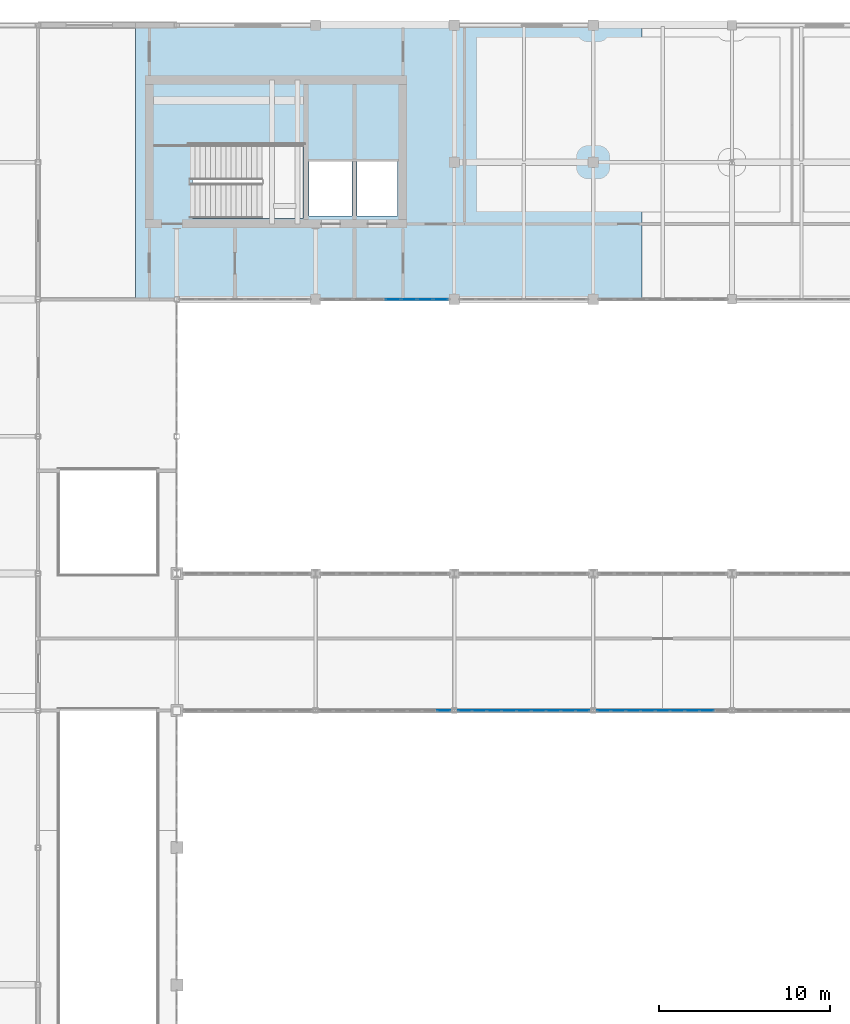
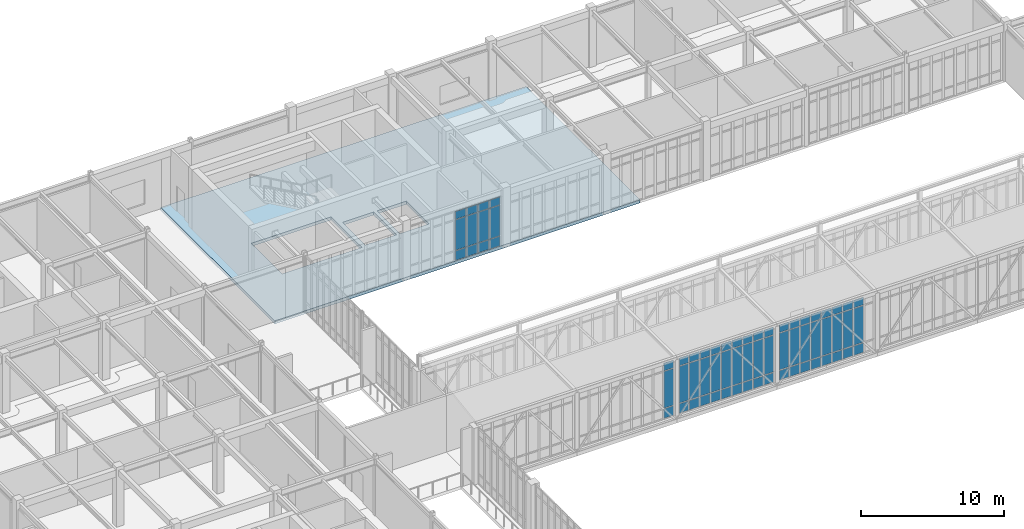
# One storey, part 75 of 107: 66 plates, 1 slab, 4 elements without a shape of their own.
"""IFC4 building model written with IfcOpenShell, lengths in metres."""

from ifc_helpers import new_model, si_unit, direction, frame, origin, origin_2d, place, context, subcontext, project, spatial, polyline, rectangle, outline, extrude, material, layer, layer_set, type_object, element, aggregate, save


model = new_model("IFC4")

# Units and contexts
model_context = context("Model", 3, precision=1e-05, world=origin(), true_north=direction((0.0, 1.0)))
body_context = subcontext(model_context, "Body", "Model", "MODEL_VIEW")
ifc_project = project(units=[si_unit("LENGTHUNIT", "METRE"), si_unit("AREAUNIT", "SQUARE_METRE"), si_unit("VOLUMEUNIT", "CUBIC_METRE"), si_unit("PLANEANGLEUNIT", "RADIAN"), si_unit("MASSUNIT", "GRAM", prefix="KILO")], contexts=[model_context])

# Site, building, storey
site_placement = place(None, origin())
site = spatial("IfcSite", under=ifc_project, at=site_placement, CompositionType="ELEMENT")
building_placement = place(site_placement, origin())
building = spatial("IfcBuilding", under=site, at=building_placement, Name="Tarnveldt Square Police Headquarters", CompositionType="ELEMENT")
storey_placement = place(building_placement, frame((0.0, 0.0, 14.699951171875)))
storey = spatial("IfcBuildingStorey", under=building, at=storey_placement, Name="L03", CompositionType="ELEMENT", Elevation=14.699951171875)

# Curtain wall, plates
ifc_material_1 = material(Name="Triple-glazed low-e laminated vision glass", Category="glass")
curtain_wall_type_1 = type_object("IfcCurtainWallType", Name="CW-LB-747x430", PredefinedType="USERDEFINED", material=ifc_material_1)
curtain_wall_1_placement = place(storey_placement, origin())
curtain_wall_1 = element("IfcCurtainWall", 1, at=curtain_wall_1_placement, inside=storey, type_object=curtain_wall_type_1, Name="L03 Curtain Wall CW-L03-120", ObjectType="GLAZED CURTAIN WALL", PredefinedType="USERDEFINED")
ifc_layer_1 = layer(ifc_material_1, 0.028076171875)
ifc_layer_set_1 = layer_set([ifc_layer_1], Name="Triple-glazed low-e laminated vision glass")
plate_type = type_object("IfcPlateType", Name="CWP-VIS-28", PredefinedType="CURTAIN_PANEL", material=ifc_layer_set_1)
plate_1_placement = place(storey_placement, frame((61.216796875, 96.0, 0.06494140625), z_axis=(0.0, 0.0, 1.0), x_axis=(1.0, 0.0, 0.0)))
plate_1 = element("IfcPlate", 2, at=plate_1_placement, type_object=plate_type, Name="CW-LB71 panel 5.1", PredefinedType="CURTAIN_PANEL", context=body_context, shape_type="SweptSolid", body=[
    extrude(rectangle(XDim=0.858642578125, YDim=0.028076171875, at=origin_2d()), origin(), (0.0, 0.0, 1.0), 0.802490234375),
])
plate_2_placement = place(storey_placement, frame((61.216796875, 96.0, 0.9326171875), z_axis=(0.0, 0.0, 1.0), x_axis=(1.0, 0.0, 0.0)))
plate_2 = element("IfcPlate", 3, at=plate_2_placement, type_object=plate_type, Name="CW-LB71 panel 5.2", PredefinedType="CURTAIN_PANEL", context=body_context, shape_type="SweptSolid", body=[
    extrude(rectangle(XDim=0.858642578125, YDim=0.028076171875, at=origin_2d()), origin(), (0.0, 0.0, 1.0), 2.583984375),
])
plate_3_placement = place(storey_placement, frame((61.216796875, 96.0, 3.58154296875), z_axis=(0.0, 0.0, 1.0), x_axis=(1.0, 0.0, 0.0)))
plate_3 = element("IfcPlate", 4, at=plate_3_placement, type_object=plate_type, Name="CW-LB71 panel 5.3", PredefinedType="CURTAIN_PANEL", context=body_context, shape_type="SweptSolid", body=[
    extrude(rectangle(XDim=0.858642578125, YDim=0.028076171875, at=origin_2d()), origin(), (0.0, 0.0, 1.0), 0.652587890625),
])
plate_4_placement = place(storey_placement, frame((62.150634765625, 96.0, 0.06494140625), z_axis=(0.0, 0.0, 1.0), x_axis=(1.0, 0.0, 0.0)))
plate_4 = element("IfcPlate", 5, at=plate_4_placement, type_object=plate_type, Name="CW-LB71 panel 6.1", PredefinedType="CURTAIN_PANEL", context=body_context, shape_type="SweptSolid", body=[
    extrude(rectangle(XDim=0.858642578125, YDim=0.028076171875, at=origin_2d()), origin(), (0.0, 0.0, 1.0), 0.802490234375),
])
plate_5_placement = place(storey_placement, frame((62.150634765625, 96.0, 0.9326171875), z_axis=(0.0, 0.0, 1.0), x_axis=(1.0, 0.0, 0.0)))
plate_5 = element("IfcPlate", 6, at=plate_5_placement, type_object=plate_type, Name="CW-LB71 panel 6.2", PredefinedType="CURTAIN_PANEL", context=body_context, shape_type="SweptSolid", body=[
    extrude(rectangle(XDim=0.858642578125, YDim=0.028076171875, at=origin_2d()), origin(), (0.0, 0.0, 1.0), 2.583984375),
])
plate_6_placement = place(storey_placement, frame((62.150634765625, 96.0, 3.58154296875), z_axis=(0.0, 0.0, 1.0), x_axis=(1.0, 0.0, 0.0)))
plate_6 = element("IfcPlate", 7, at=plate_6_placement, type_object=plate_type, Name="CW-LB71 panel 6.3", PredefinedType="CURTAIN_PANEL", context=body_context, shape_type="SweptSolid", body=[
    extrude(rectangle(XDim=0.858642578125, YDim=0.028076171875, at=origin_2d()), origin(), (0.0, 0.0, 1.0), 0.652587890625),
])
plate_7_placement = place(storey_placement, frame((63.08447265625, 96.0, 0.06494140625), z_axis=(0.0, 0.0, 1.0), x_axis=(1.0, 0.0, 0.0)))
plate_7 = element("IfcPlate", 8, at=plate_7_placement, type_object=plate_type, Name="CW-LB71 panel 7.1", PredefinedType="CURTAIN_PANEL", context=body_context, shape_type="SweptSolid", body=[
    extrude(rectangle(XDim=0.858642578125, YDim=0.028076171875, at=origin_2d()), origin(), (0.0, 0.0, 1.0), 0.802490234375),
])
plate_8_placement = place(storey_placement, frame((63.08447265625, 96.0, 0.9326171875), z_axis=(0.0, 0.0, 1.0), x_axis=(1.0, 0.0, 0.0)))
plate_8 = element("IfcPlate", 9, at=plate_8_placement, type_object=plate_type, Name="CW-LB71 panel 7.2", PredefinedType="CURTAIN_PANEL", context=body_context, shape_type="SweptSolid", body=[
    extrude(rectangle(XDim=0.858642578125, YDim=0.028076171875, at=origin_2d()), origin(), (0.0, 0.0, 1.0), 2.583984375),
])
plate_9_placement = place(storey_placement, frame((63.08447265625, 96.0, 3.58154296875), z_axis=(0.0, 0.0, 1.0), x_axis=(1.0, 0.0, 0.0)))
plate_9 = element("IfcPlate", 10, at=plate_9_placement, type_object=plate_type, Name="CW-LB71 panel 7.3", PredefinedType="CURTAIN_PANEL", context=body_context, shape_type="SweptSolid", body=[
    extrude(rectangle(XDim=0.858642578125, YDim=0.028076171875, at=origin_2d()), origin(), (0.0, 0.0, 1.0), 0.652587890625),
])
plate_10_placement = place(storey_placement, frame((63.999267578125, 96.0, 0.06494140625), z_axis=(0.0, 0.0, 1.0), x_axis=(1.0, 0.0, 0.0)))
plate_10 = element("IfcPlate", 11, at=plate_10_placement, type_object=plate_type, Name="CW-LB71 panel 8.1", PredefinedType="CURTAIN_PANEL", context=body_context, shape_type="SweptSolid", body=[
    extrude(rectangle(XDim=0.8212890625, YDim=0.028076171875, at=origin_2d()), origin(), (0.0, 0.0, 1.0), 0.802490234375),
])
plate_11_placement = place(storey_placement, frame((63.999267578125, 96.0, 0.9326171875), z_axis=(0.0, 0.0, 1.0), x_axis=(1.0, 0.0, 0.0)))
plate_11 = element("IfcPlate", 12, at=plate_11_placement, type_object=plate_type, Name="CW-LB71 panel 8.2", PredefinedType="CURTAIN_PANEL", context=body_context, shape_type="SweptSolid", body=[
    extrude(rectangle(XDim=0.8212890625, YDim=0.028076171875, at=origin_2d()), origin(), (0.0, 0.0, 1.0), 2.583984375),
])
plate_12_placement = place(storey_placement, frame((63.999267578125, 96.0, 3.58154296875), z_axis=(0.0, 0.0, 1.0), x_axis=(1.0, 0.0, 0.0)))
plate_12 = element("IfcPlate", 13, at=plate_12_placement, type_object=plate_type, Name="CW-LB71 panel 8.3", PredefinedType="CURTAIN_PANEL", context=body_context, shape_type="SweptSolid", body=[
    extrude(rectangle(XDim=0.8212890625, YDim=0.028076171875, at=origin_2d()), origin(), (0.0, 0.0, 1.0), 0.652587890625),
])
aggregate(curtain_wall_1, [plate_1, plate_2, plate_3, plate_4, plate_5, plate_6, plate_7, plate_8, plate_9, plate_10, plate_11, plate_12])

curtain_wall_type_2 = type_object("IfcCurtainWallType", Name="CW-SB-776x484", PredefinedType="USERDEFINED", material=ifc_material_1)
curtain_wall_2_placement = place(storey_placement, origin())
curtain_wall_2 = element("IfcCurtainWall", 14, at=curtain_wall_2_placement, inside=storey, type_object=curtain_wall_type_2, Name="L03 Curtain Wall CW-L03-153", ObjectType="GLAZED CURTAIN WALL", PredefinedType="USERDEFINED")
plate_13_placement = place(storey_placement, frame((64.18359375, 72.0, 0.06494140625), z_axis=(0.0, 0.0, 1.0), x_axis=(1.0, 0.0, 0.0)))
plate_13 = element("IfcPlate", 15, at=plate_13_placement, type_object=plate_type, Name="CW-SB90 panel 9.1", PredefinedType="CURTAIN_PANEL", context=body_context, shape_type="SweptSolid", body=[
    extrude(rectangle(XDim=0.764892578125, YDim=0.028076171875, at=origin_2d()), origin(), (0.0, 0.0, 1.0), 0.802490234375),
])
plate_14_placement = place(storey_placement, frame((64.18359375, 72.0, 0.9326171875), z_axis=(0.0, 0.0, 1.0), x_axis=(1.0, 0.0, 0.0)))
plate_14 = element("IfcPlate", 16, at=plate_14_placement, type_object=plate_type, Name="CW-SB90 panel 9.2", PredefinedType="CURTAIN_PANEL", context=body_context, shape_type="SweptSolid", body=[
    extrude(rectangle(XDim=0.764892578125, YDim=0.028076171875, at=origin_2d()), origin(), (0.0, 0.0, 1.0), 3.125),
])
plate_15_placement = place(storey_placement, frame((64.18359375, 72.0, 4.12255859375), z_axis=(0.0, 0.0, 1.0), x_axis=(1.0, 0.0, 0.0)))
plate_15 = element("IfcPlate", 17, at=plate_15_placement, type_object=plate_type, Name="CW-SB90 panel 9.3", PredefinedType="CURTAIN_PANEL", context=body_context, shape_type="SweptSolid", body=[
    extrude(rectangle(XDim=0.764892578125, YDim=0.028076171875, at=origin_2d()), origin(), (0.0, 0.0, 1.0), 0.652587890625),
])
aggregate(curtain_wall_2, [plate_13, plate_14, plate_15])

curtain_wall_3_placement = place(storey_placement, origin())
curtain_wall_3 = element("IfcCurtainWall", 18, at=curtain_wall_3_placement, inside=storey, type_object=curtain_wall_type_2, Name="L03 Curtain Wall CW-L03-154", ObjectType="GLAZED CURTAIN WALL", PredefinedType="USERDEFINED")
plate_16_placement = place(storey_placement, frame((65.41650390625, 72.0, 0.06494140625), z_axis=(0.0, 0.0, 1.0), x_axis=(1.0, 0.0, 0.0)))
plate_16 = element("IfcPlate", 19, at=plate_16_placement, type_object=plate_type, Name="CW-SB90 panel 1.1", PredefinedType="CURTAIN_PANEL", context=body_context, shape_type="SweptSolid", body=[
    extrude(rectangle(XDim=0.764892578125, YDim=0.028076171875, at=origin_2d()), origin(), (0.0, 0.0, 1.0), 0.802490234375),
])
plate_17_placement = place(storey_placement, frame((65.41650390625, 72.0, 0.9326171875), z_axis=(0.0, 0.0, 1.0), x_axis=(1.0, 0.0, 0.0)))
plate_17 = element("IfcPlate", 20, at=plate_17_placement, type_object=plate_type, Name="CW-SB90 panel 1.2", PredefinedType="CURTAIN_PANEL", context=body_context, shape_type="SweptSolid", body=[
    extrude(rectangle(XDim=0.764892578125, YDim=0.028076171875, at=origin_2d()), origin(), (0.0, 0.0, 1.0), 3.125),
])
plate_18_placement = place(storey_placement, frame((65.41650390625, 72.0, 4.12255859375), z_axis=(0.0, 0.0, 1.0), x_axis=(1.0, 0.0, 0.0)))
plate_18 = element("IfcPlate", 21, at=plate_18_placement, type_object=plate_type, Name="CW-SB90 panel 1.3", PredefinedType="CURTAIN_PANEL", context=body_context, shape_type="SweptSolid", body=[
    extrude(rectangle(XDim=0.764892578125, YDim=0.028076171875, at=origin_2d()), origin(), (0.0, 0.0, 1.0), 0.652587890625),
])
plate_19_placement = place(storey_placement, frame((66.2626953125, 72.0, 0.06494140625), z_axis=(0.0, 0.0, 1.0), x_axis=(1.0, 0.0, 0.0)))
plate_19 = element("IfcPlate", 22, at=plate_19_placement, type_object=plate_type, Name="CW-SB90 panel 2.1", PredefinedType="CURTAIN_PANEL", context=body_context, shape_type="SweptSolid", body=[
    extrude(rectangle(XDim=0.79736328125, YDim=0.028076171875, at=origin_2d()), origin(), (0.0, 0.0, 1.0), 0.802490234375),
])
plate_20_placement = place(storey_placement, frame((66.2626953125, 72.0, 0.9326171875), z_axis=(0.0, 0.0, 1.0), x_axis=(1.0, 0.0, 0.0)))
plate_20 = element("IfcPlate", 23, at=plate_20_placement, type_object=plate_type, Name="CW-SB90 panel 2.2", PredefinedType="CURTAIN_PANEL", context=body_context, shape_type="SweptSolid", body=[
    extrude(rectangle(XDim=0.79736328125, YDim=0.028076171875, at=origin_2d()), origin(), (0.0, 0.0, 1.0), 3.125),
])
plate_21_placement = place(storey_placement, frame((66.2626953125, 72.0, 4.12255859375), z_axis=(0.0, 0.0, 1.0), x_axis=(1.0, 0.0, 0.0)))
plate_21 = element("IfcPlate", 24, at=plate_21_placement, type_object=plate_type, Name="CW-SB90 panel 2.3", PredefinedType="CURTAIN_PANEL", context=body_context, shape_type="SweptSolid", body=[
    extrude(rectangle(XDim=0.79736328125, YDim=0.028076171875, at=origin_2d()), origin(), (0.0, 0.0, 1.0), 0.652587890625),
])
plate_22_placement = place(storey_placement, frame((67.125, 72.0, 0.06494140625), z_axis=(0.0, 0.0, 1.0), x_axis=(1.0, 0.0, 0.0)))
plate_22 = element("IfcPlate", 25, at=plate_22_placement, type_object=plate_type, Name="CW-SB90 panel 3.1", PredefinedType="CURTAIN_PANEL", context=body_context, shape_type="SweptSolid", body=[
    extrude(rectangle(XDim=0.79736328125, YDim=0.028076171875, at=origin_2d()), origin(), (0.0, 0.0, 1.0), 0.802490234375),
])
plate_23_placement = place(storey_placement, frame((67.125, 72.0, 0.9326171875), z_axis=(0.0, 0.0, 1.0), x_axis=(1.0, 0.0, 0.0)))
plate_23 = element("IfcPlate", 26, at=plate_23_placement, type_object=plate_type, Name="CW-SB90 panel 3.2", PredefinedType="CURTAIN_PANEL", context=body_context, shape_type="SweptSolid", body=[
    extrude(rectangle(XDim=0.79736328125, YDim=0.028076171875, at=origin_2d()), origin(), (0.0, 0.0, 1.0), 3.125),
])
plate_24_placement = place(storey_placement, frame((67.125, 72.0, 4.12255859375), z_axis=(0.0, 0.0, 1.0), x_axis=(1.0, 0.0, 0.0)))
plate_24 = element("IfcPlate", 27, at=plate_24_placement, type_object=plate_type, Name="CW-SB90 panel 3.3", PredefinedType="CURTAIN_PANEL", context=body_context, shape_type="SweptSolid", body=[
    extrude(rectangle(XDim=0.79736328125, YDim=0.028076171875, at=origin_2d()), origin(), (0.0, 0.0, 1.0), 0.652587890625),
])
plate_25_placement = place(storey_placement, frame((67.987548828125, 72.0, 0.06494140625), z_axis=(0.0, 0.0, 1.0), x_axis=(1.0, 0.0, 0.0)))
plate_25 = element("IfcPlate", 28, at=plate_25_placement, type_object=plate_type, Name="CW-SB90 panel 4.1", PredefinedType="CURTAIN_PANEL", context=body_context, shape_type="SweptSolid", body=[
    extrude(rectangle(XDim=0.79736328125, YDim=0.028076171875, at=origin_2d()), origin(), (0.0, 0.0, 1.0), 0.802490234375),
])
plate_26_placement = place(storey_placement, frame((67.987548828125, 72.0, 0.9326171875), z_axis=(0.0, 0.0, 1.0), x_axis=(1.0, 0.0, 0.0)))
plate_26 = element("IfcPlate", 29, at=plate_26_placement, type_object=plate_type, Name="CW-SB90 panel 4.2", PredefinedType="CURTAIN_PANEL", context=body_context, shape_type="SweptSolid", body=[
    extrude(rectangle(XDim=0.79736328125, YDim=0.028076171875, at=origin_2d()), origin(), (0.0, 0.0, 1.0), 3.125),
])
plate_27_placement = place(storey_placement, frame((67.987548828125, 72.0, 4.12255859375), z_axis=(0.0, 0.0, 1.0), x_axis=(1.0, 0.0, 0.0)))
plate_27 = element("IfcPlate", 30, at=plate_27_placement, type_object=plate_type, Name="CW-SB90 panel 4.3", PredefinedType="CURTAIN_PANEL", context=body_context, shape_type="SweptSolid", body=[
    extrude(rectangle(XDim=0.79736328125, YDim=0.028076171875, at=origin_2d()), origin(), (0.0, 0.0, 1.0), 0.652587890625),
])
plate_28_placement = place(storey_placement, frame((68.85009765625, 72.0, 0.06494140625), z_axis=(0.0, 0.0, 1.0), x_axis=(1.0, 0.0, 0.0)))
plate_28 = element("IfcPlate", 31, at=plate_28_placement, type_object=plate_type, Name="CW-SB90 panel 5.1", PredefinedType="CURTAIN_PANEL", context=body_context, shape_type="SweptSolid", body=[
    extrude(rectangle(XDim=0.79736328125, YDim=0.028076171875, at=origin_2d()), origin(), (0.0, 0.0, 1.0), 0.802490234375),
])
plate_29_placement = place(storey_placement, frame((68.85009765625, 72.0, 0.9326171875), z_axis=(0.0, 0.0, 1.0), x_axis=(1.0, 0.0, 0.0)))
plate_29 = element("IfcPlate", 32, at=plate_29_placement, type_object=plate_type, Name="CW-SB90 panel 5.2", PredefinedType="CURTAIN_PANEL", context=body_context, shape_type="SweptSolid", body=[
    extrude(rectangle(XDim=0.79736328125, YDim=0.028076171875, at=origin_2d()), origin(), (0.0, 0.0, 1.0), 3.125),
])
plate_30_placement = place(storey_placement, frame((68.85009765625, 72.0, 4.12255859375), z_axis=(0.0, 0.0, 1.0), x_axis=(1.0, 0.0, 0.0)))
plate_30 = element("IfcPlate", 33, at=plate_30_placement, type_object=plate_type, Name="CW-SB90 panel 5.3", PredefinedType="CURTAIN_PANEL", context=body_context, shape_type="SweptSolid", body=[
    extrude(rectangle(XDim=0.79736328125, YDim=0.028076171875, at=origin_2d()), origin(), (0.0, 0.0, 1.0), 0.652587890625),
])
plate_31_placement = place(storey_placement, frame((69.71240234375, 72.0, 0.06494140625), z_axis=(0.0, 0.0, 1.0), x_axis=(1.0, 0.0, 0.0)))
plate_31 = element("IfcPlate", 34, at=plate_31_placement, type_object=plate_type, Name="CW-SB90 panel 6.1", PredefinedType="CURTAIN_PANEL", context=body_context, shape_type="SweptSolid", body=[
    extrude(rectangle(XDim=0.79736328125, YDim=0.028076171875, at=origin_2d()), origin(), (0.0, 0.0, 1.0), 0.802490234375),
])
plate_32_placement = place(storey_placement, frame((69.71240234375, 72.0, 0.9326171875), z_axis=(0.0, 0.0, 1.0), x_axis=(1.0, 0.0, 0.0)))
plate_32 = element("IfcPlate", 35, at=plate_32_placement, type_object=plate_type, Name="CW-SB90 panel 6.2", PredefinedType="CURTAIN_PANEL", context=body_context, shape_type="SweptSolid", body=[
    extrude(rectangle(XDim=0.79736328125, YDim=0.028076171875, at=origin_2d()), origin(), (0.0, 0.0, 1.0), 3.125),
])
plate_33_placement = place(storey_placement, frame((69.71240234375, 72.0, 4.12255859375), z_axis=(0.0, 0.0, 1.0), x_axis=(1.0, 0.0, 0.0)))
plate_33 = element("IfcPlate", 36, at=plate_33_placement, type_object=plate_type, Name="CW-SB90 panel 6.3", PredefinedType="CURTAIN_PANEL", context=body_context, shape_type="SweptSolid", body=[
    extrude(rectangle(XDim=0.79736328125, YDim=0.028076171875, at=origin_2d()), origin(), (0.0, 0.0, 1.0), 0.652587890625),
])
plate_34_placement = place(storey_placement, frame((70.574951171875, 72.0, 0.06494140625), z_axis=(0.0, 0.0, 1.0), x_axis=(1.0, 0.0, 0.0)))
plate_34 = element("IfcPlate", 37, at=plate_34_placement, type_object=plate_type, Name="CW-SB90 panel 7.1", PredefinedType="CURTAIN_PANEL", context=body_context, shape_type="SweptSolid", body=[
    extrude(rectangle(XDim=0.79736328125, YDim=0.028076171875, at=origin_2d()), origin(), (0.0, 0.0, 1.0), 0.802490234375),
])
plate_35_placement = place(storey_placement, frame((70.574951171875, 72.0, 0.9326171875), z_axis=(0.0, 0.0, 1.0), x_axis=(1.0, 0.0, 0.0)))
plate_35 = element("IfcPlate", 38, at=plate_35_placement, type_object=plate_type, Name="CW-SB90 panel 7.2", PredefinedType="CURTAIN_PANEL", context=body_context, shape_type="SweptSolid", body=[
    extrude(rectangle(XDim=0.79736328125, YDim=0.028076171875, at=origin_2d()), origin(), (0.0, 0.0, 1.0), 3.125),
])
plate_36_placement = place(storey_placement, frame((70.574951171875, 72.0, 4.12255859375), z_axis=(0.0, 0.0, 1.0), x_axis=(1.0, 0.0, 0.0)))
plate_36 = element("IfcPlate", 39, at=plate_36_placement, type_object=plate_type, Name="CW-SB90 panel 7.3", PredefinedType="CURTAIN_PANEL", context=body_context, shape_type="SweptSolid", body=[
    extrude(rectangle(XDim=0.79736328125, YDim=0.028076171875, at=origin_2d()), origin(), (0.0, 0.0, 1.0), 0.652587890625),
])
plate_37_placement = place(storey_placement, frame((71.437255859375, 72.0, 0.06494140625), z_axis=(0.0, 0.0, 1.0), x_axis=(1.0, 0.0, 0.0)))
plate_37 = element("IfcPlate", 40, at=plate_37_placement, type_object=plate_type, Name="CW-SB90 panel 8.1", PredefinedType="CURTAIN_PANEL", context=body_context, shape_type="SweptSolid", body=[
    extrude(rectangle(XDim=0.79736328125, YDim=0.028076171875, at=origin_2d()), origin(), (0.0, 0.0, 1.0), 0.802490234375),
])
plate_38_placement = place(storey_placement, frame((71.437255859375, 72.0, 0.9326171875), z_axis=(0.0, 0.0, 1.0), x_axis=(1.0, 0.0, 0.0)))
plate_38 = element("IfcPlate", 41, at=plate_38_placement, type_object=plate_type, Name="CW-SB90 panel 8.2", PredefinedType="CURTAIN_PANEL", context=body_context, shape_type="SweptSolid", body=[
    extrude(rectangle(XDim=0.79736328125, YDim=0.028076171875, at=origin_2d()), origin(), (0.0, 0.0, 1.0), 3.125),
])
plate_39_placement = place(storey_placement, frame((71.437255859375, 72.0, 4.12255859375), z_axis=(0.0, 0.0, 1.0), x_axis=(1.0, 0.0, 0.0)))
plate_39 = element("IfcPlate", 42, at=plate_39_placement, type_object=plate_type, Name="CW-SB90 panel 8.3", PredefinedType="CURTAIN_PANEL", context=body_context, shape_type="SweptSolid", body=[
    extrude(rectangle(XDim=0.79736328125, YDim=0.028076171875, at=origin_2d()), origin(), (0.0, 0.0, 1.0), 0.652587890625),
])
plate_40_placement = place(storey_placement, frame((72.283447265625, 72.0, 0.06494140625), z_axis=(0.0, 0.0, 1.0), x_axis=(1.0, 0.0, 0.0)))
plate_40 = element("IfcPlate", 43, at=plate_40_placement, type_object=plate_type, Name="CW-SB90 panel 9.1", PredefinedType="CURTAIN_PANEL", context=body_context, shape_type="SweptSolid", body=[
    extrude(rectangle(XDim=0.764892578125, YDim=0.028076171875, at=origin_2d()), origin(), (0.0, 0.0, 1.0), 0.802490234375),
])
plate_41_placement = place(storey_placement, frame((72.283447265625, 72.0, 0.9326171875), z_axis=(0.0, 0.0, 1.0), x_axis=(1.0, 0.0, 0.0)))
plate_41 = element("IfcPlate", 44, at=plate_41_placement, type_object=plate_type, Name="CW-SB90 panel 9.2", PredefinedType="CURTAIN_PANEL", context=body_context, shape_type="SweptSolid", body=[
    extrude(rectangle(XDim=0.764892578125, YDim=0.028076171875, at=origin_2d()), origin(), (0.0, 0.0, 1.0), 3.125),
])
plate_42_placement = place(storey_placement, frame((72.283447265625, 72.0, 4.12255859375), z_axis=(0.0, 0.0, 1.0), x_axis=(1.0, 0.0, 0.0)))
plate_42 = element("IfcPlate", 45, at=plate_42_placement, type_object=plate_type, Name="CW-SB90 panel 9.3", PredefinedType="CURTAIN_PANEL", context=body_context, shape_type="SweptSolid", body=[
    extrude(rectangle(XDim=0.764892578125, YDim=0.028076171875, at=origin_2d()), origin(), (0.0, 0.0, 1.0), 0.652587890625),
])
aggregate(curtain_wall_3, [plate_16, plate_17, plate_18, plate_19, plate_20, plate_21, plate_22, plate_23, plate_24, plate_25, plate_26, plate_27, plate_28, plate_29, plate_30, plate_31, plate_32, plate_33, plate_34, plate_35, plate_36, plate_37, plate_38, plate_39, plate_40, plate_41, plate_42])

curtain_wall_4_placement = place(storey_placement, origin())
curtain_wall_4 = element("IfcCurtainWall", 46, at=curtain_wall_4_placement, inside=storey, type_object=curtain_wall_type_2, Name="L03 Curtain Wall CW-L03-155", ObjectType="GLAZED CURTAIN WALL", PredefinedType="USERDEFINED")
plate_43_placement = place(storey_placement, frame((73.516357421875, 72.0, 0.06494140625), z_axis=(0.0, 0.0, 1.0), x_axis=(1.0, 0.0, 0.0)))
plate_43 = element("IfcPlate", 47, at=plate_43_placement, type_object=plate_type, Name="CW-SB90 panel 1.1", PredefinedType="CURTAIN_PANEL", context=body_context, shape_type="SweptSolid", body=[
    extrude(rectangle(XDim=0.764892578125, YDim=0.028076171875, at=origin_2d()), origin(), (0.0, 0.0, 1.0), 0.802490234375),
])
plate_44_placement = place(storey_placement, frame((73.516357421875, 72.0, 0.9326171875), z_axis=(0.0, 0.0, 1.0), x_axis=(1.0, 0.0, 0.0)))
plate_44 = element("IfcPlate", 48, at=plate_44_placement, type_object=plate_type, Name="CW-SB90 panel 1.2", PredefinedType="CURTAIN_PANEL", context=body_context, shape_type="SweptSolid", body=[
    extrude(rectangle(XDim=0.764892578125, YDim=0.028076171875, at=origin_2d()), origin(), (0.0, 0.0, 1.0), 3.125),
])
plate_45_placement = place(storey_placement, frame((73.516357421875, 72.0, 4.12255859375), z_axis=(0.0, 0.0, 1.0), x_axis=(1.0, 0.0, 0.0)))
plate_45 = element("IfcPlate", 49, at=plate_45_placement, type_object=plate_type, Name="CW-SB90 panel 1.3", PredefinedType="CURTAIN_PANEL", context=body_context, shape_type="SweptSolid", body=[
    extrude(rectangle(XDim=0.764892578125, YDim=0.028076171875, at=origin_2d()), origin(), (0.0, 0.0, 1.0), 0.652587890625),
])
plate_46_placement = place(storey_placement, frame((74.362548828125, 72.0, 0.06494140625), z_axis=(0.0, 0.0, 1.0), x_axis=(1.0, 0.0, 0.0)))
plate_46 = element("IfcPlate", 50, at=plate_46_placement, type_object=plate_type, Name="CW-SB90 panel 2.1", PredefinedType="CURTAIN_PANEL", context=body_context, shape_type="SweptSolid", body=[
    extrude(rectangle(XDim=0.79736328125, YDim=0.028076171875, at=origin_2d()), origin(), (0.0, 0.0, 1.0), 0.802490234375),
])
plate_47_placement = place(storey_placement, frame((74.362548828125, 72.0, 0.9326171875), z_axis=(0.0, 0.0, 1.0), x_axis=(1.0, 0.0, 0.0)))
plate_47 = element("IfcPlate", 51, at=plate_47_placement, type_object=plate_type, Name="CW-SB90 panel 2.2", PredefinedType="CURTAIN_PANEL", context=body_context, shape_type="SweptSolid", body=[
    extrude(rectangle(XDim=0.79736328125, YDim=0.028076171875, at=origin_2d()), origin(), (0.0, 0.0, 1.0), 3.125),
])
plate_48_placement = place(storey_placement, frame((74.362548828125, 72.0, 4.12255859375), z_axis=(0.0, 0.0, 1.0), x_axis=(1.0, 0.0, 0.0)))
plate_48 = element("IfcPlate", 52, at=plate_48_placement, type_object=plate_type, Name="CW-SB90 panel 2.3", PredefinedType="CURTAIN_PANEL", context=body_context, shape_type="SweptSolid", body=[
    extrude(rectangle(XDim=0.79736328125, YDim=0.028076171875, at=origin_2d()), origin(), (0.0, 0.0, 1.0), 0.652587890625),
])
plate_49_placement = place(storey_placement, frame((75.22509765625, 72.0, 0.06494140625), z_axis=(0.0, 0.0, 1.0), x_axis=(1.0, 0.0, 0.0)))
plate_49 = element("IfcPlate", 53, at=plate_49_placement, type_object=plate_type, Name="CW-SB90 panel 3.1", PredefinedType="CURTAIN_PANEL", context=body_context, shape_type="SweptSolid", body=[
    extrude(rectangle(XDim=0.79736328125, YDim=0.028076171875, at=origin_2d()), origin(), (0.0, 0.0, 1.0), 0.802490234375),
])
plate_50_placement = place(storey_placement, frame((75.22509765625, 72.0, 0.9326171875), z_axis=(0.0, 0.0, 1.0), x_axis=(1.0, 0.0, 0.0)))
plate_50 = element("IfcPlate", 54, at=plate_50_placement, type_object=plate_type, Name="CW-SB90 panel 3.2", PredefinedType="CURTAIN_PANEL", context=body_context, shape_type="SweptSolid", body=[
    extrude(rectangle(XDim=0.79736328125, YDim=0.028076171875, at=origin_2d()), origin(), (0.0, 0.0, 1.0), 3.125),
])
plate_51_placement = place(storey_placement, frame((75.22509765625, 72.0, 4.12255859375), z_axis=(0.0, 0.0, 1.0), x_axis=(1.0, 0.0, 0.0)))
plate_51 = element("IfcPlate", 55, at=plate_51_placement, type_object=plate_type, Name="CW-SB90 panel 3.3", PredefinedType="CURTAIN_PANEL", context=body_context, shape_type="SweptSolid", body=[
    extrude(rectangle(XDim=0.79736328125, YDim=0.028076171875, at=origin_2d()), origin(), (0.0, 0.0, 1.0), 0.652587890625),
])
plate_52_placement = place(storey_placement, frame((76.087646484375, 72.0, 0.06494140625), z_axis=(0.0, 0.0, 1.0), x_axis=(1.0, 0.0, 0.0)))
plate_52 = element("IfcPlate", 56, at=plate_52_placement, type_object=plate_type, Name="CW-SB90 panel 4.1", PredefinedType="CURTAIN_PANEL", context=body_context, shape_type="SweptSolid", body=[
    extrude(rectangle(XDim=0.79736328125, YDim=0.028076171875, at=origin_2d()), origin(), (0.0, 0.0, 1.0), 0.802490234375),
])
plate_53_placement = place(storey_placement, frame((76.087646484375, 72.0, 0.9326171875), z_axis=(0.0, 0.0, 1.0), x_axis=(1.0, 0.0, 0.0)))
plate_53 = element("IfcPlate", 57, at=plate_53_placement, type_object=plate_type, Name="CW-SB90 panel 4.2", PredefinedType="CURTAIN_PANEL", context=body_context, shape_type="SweptSolid", body=[
    extrude(rectangle(XDim=0.79736328125, YDim=0.028076171875, at=origin_2d()), origin(), (0.0, 0.0, 1.0), 3.125),
])
plate_54_placement = place(storey_placement, frame((76.087646484375, 72.0, 4.12255859375), z_axis=(0.0, 0.0, 1.0), x_axis=(1.0, 0.0, 0.0)))
plate_54 = element("IfcPlate", 58, at=plate_54_placement, type_object=plate_type, Name="CW-SB90 panel 4.3", PredefinedType="CURTAIN_PANEL", context=body_context, shape_type="SweptSolid", body=[
    extrude(rectangle(XDim=0.79736328125, YDim=0.028076171875, at=origin_2d()), origin(), (0.0, 0.0, 1.0), 0.652587890625),
])
plate_55_placement = place(storey_placement, frame((76.949951171875, 72.0, 0.06494140625), z_axis=(0.0, 0.0, 1.0), x_axis=(1.0, 0.0, 0.0)))
plate_55 = element("IfcPlate", 59, at=plate_55_placement, type_object=plate_type, Name="CW-SB90 panel 5.1", PredefinedType="CURTAIN_PANEL", context=body_context, shape_type="SweptSolid", body=[
    extrude(rectangle(XDim=0.79736328125, YDim=0.028076171875, at=origin_2d()), origin(), (0.0, 0.0, 1.0), 0.802490234375),
])
plate_56_placement = place(storey_placement, frame((76.949951171875, 72.0, 0.9326171875), z_axis=(0.0, 0.0, 1.0), x_axis=(1.0, 0.0, 0.0)))
plate_56 = element("IfcPlate", 60, at=plate_56_placement, type_object=plate_type, Name="CW-SB90 panel 5.2", PredefinedType="CURTAIN_PANEL", context=body_context, shape_type="SweptSolid", body=[
    extrude(rectangle(XDim=0.79736328125, YDim=0.028076171875, at=origin_2d()), origin(), (0.0, 0.0, 1.0), 3.125),
])
plate_57_placement = place(storey_placement, frame((76.949951171875, 72.0, 4.12255859375), z_axis=(0.0, 0.0, 1.0), x_axis=(1.0, 0.0, 0.0)))
plate_57 = element("IfcPlate", 61, at=plate_57_placement, type_object=plate_type, Name="CW-SB90 panel 5.3", PredefinedType="CURTAIN_PANEL", context=body_context, shape_type="SweptSolid", body=[
    extrude(rectangle(XDim=0.79736328125, YDim=0.028076171875, at=origin_2d()), origin(), (0.0, 0.0, 1.0), 0.652587890625),
])
plate_58_placement = place(storey_placement, frame((77.8125, 72.0, 0.06494140625), z_axis=(0.0, 0.0, 1.0), x_axis=(1.0, 0.0, 0.0)))
plate_58 = element("IfcPlate", 62, at=plate_58_placement, type_object=plate_type, Name="CW-SB90 panel 6.1", PredefinedType="CURTAIN_PANEL", context=body_context, shape_type="SweptSolid", body=[
    extrude(rectangle(XDim=0.79736328125, YDim=0.028076171875, at=origin_2d()), origin(), (0.0, 0.0, 1.0), 0.802490234375),
])
plate_59_placement = place(storey_placement, frame((77.8125, 72.0, 0.9326171875), z_axis=(0.0, 0.0, 1.0), x_axis=(1.0, 0.0, 0.0)))
plate_59 = element("IfcPlate", 63, at=plate_59_placement, type_object=plate_type, Name="CW-SB90 panel 6.2", PredefinedType="CURTAIN_PANEL", context=body_context, shape_type="SweptSolid", body=[
    extrude(rectangle(XDim=0.79736328125, YDim=0.028076171875, at=origin_2d()), origin(), (0.0, 0.0, 1.0), 3.125),
])
plate_60_placement = place(storey_placement, frame((77.8125, 72.0, 4.12255859375), z_axis=(0.0, 0.0, 1.0), x_axis=(1.0, 0.0, 0.0)))
plate_60 = element("IfcPlate", 64, at=plate_60_placement, type_object=plate_type, Name="CW-SB90 panel 6.3", PredefinedType="CURTAIN_PANEL", context=body_context, shape_type="SweptSolid", body=[
    extrude(rectangle(XDim=0.79736328125, YDim=0.028076171875, at=origin_2d()), origin(), (0.0, 0.0, 1.0), 0.652587890625),
])
plate_61_placement = place(storey_placement, frame((78.6748046875, 72.0, 0.06494140625), z_axis=(0.0, 0.0, 1.0), x_axis=(1.0, 0.0, 0.0)))
plate_61 = element("IfcPlate", 65, at=plate_61_placement, type_object=plate_type, Name="CW-SB90 panel 7.1", PredefinedType="CURTAIN_PANEL", context=body_context, shape_type="SweptSolid", body=[
    extrude(rectangle(XDim=0.79736328125, YDim=0.028076171875, at=origin_2d()), origin(), (0.0, 0.0, 1.0), 0.802490234375),
])
plate_62_placement = place(storey_placement, frame((78.6748046875, 72.0, 0.9326171875), z_axis=(0.0, 0.0, 1.0), x_axis=(1.0, 0.0, 0.0)))
plate_62 = element("IfcPlate", 66, at=plate_62_placement, type_object=plate_type, Name="CW-SB90 panel 7.2", PredefinedType="CURTAIN_PANEL", context=body_context, shape_type="SweptSolid", body=[
    extrude(rectangle(XDim=0.79736328125, YDim=0.028076171875, at=origin_2d()), origin(), (0.0, 0.0, 1.0), 3.125),
])
plate_63_placement = place(storey_placement, frame((78.6748046875, 72.0, 4.12255859375), z_axis=(0.0, 0.0, 1.0), x_axis=(1.0, 0.0, 0.0)))
plate_63 = element("IfcPlate", 67, at=plate_63_placement, type_object=plate_type, Name="CW-SB90 panel 7.3", PredefinedType="CURTAIN_PANEL", context=body_context, shape_type="SweptSolid", body=[
    extrude(rectangle(XDim=0.79736328125, YDim=0.028076171875, at=origin_2d()), origin(), (0.0, 0.0, 1.0), 0.652587890625),
])
plate_64_placement = place(storey_placement, frame((79.537353515625, 72.0, 0.06494140625), z_axis=(0.0, 0.0, 1.0), x_axis=(1.0, 0.0, 0.0)))
plate_64 = element("IfcPlate", 68, at=plate_64_placement, type_object=plate_type, Name="CW-SB90 panel 8.1", PredefinedType="CURTAIN_PANEL", context=body_context, shape_type="SweptSolid", body=[
    extrude(rectangle(XDim=0.79736328125, YDim=0.028076171875, at=origin_2d()), origin(), (0.0, 0.0, 1.0), 0.802490234375),
])
plate_65_placement = place(storey_placement, frame((79.537353515625, 72.0, 0.9326171875), z_axis=(0.0, 0.0, 1.0), x_axis=(1.0, 0.0, 0.0)))
plate_65 = element("IfcPlate", 69, at=plate_65_placement, type_object=plate_type, Name="CW-SB90 panel 8.2", PredefinedType="CURTAIN_PANEL", context=body_context, shape_type="SweptSolid", body=[
    extrude(rectangle(XDim=0.79736328125, YDim=0.028076171875, at=origin_2d()), origin(), (0.0, 0.0, 1.0), 3.125),
])
plate_66_placement = place(storey_placement, frame((79.537353515625, 72.0, 4.12255859375), z_axis=(0.0, 0.0, 1.0), x_axis=(1.0, 0.0, 0.0)))
plate_66 = element("IfcPlate", 70, at=plate_66_placement, type_object=plate_type, Name="CW-SB90 panel 8.3", PredefinedType="CURTAIN_PANEL", context=body_context, shape_type="SweptSolid", body=[
    extrude(rectangle(XDim=0.79736328125, YDim=0.028076171875, at=origin_2d()), origin(), (0.0, 0.0, 1.0), 0.652587890625),
])
aggregate(curtain_wall_4, [plate_43, plate_44, plate_45, plate_46, plate_47, plate_48, plate_49, plate_50, plate_51, plate_52, plate_53, plate_54, plate_55, plate_56, plate_57, plate_58, plate_59, plate_60, plate_61, plate_62, plate_63, plate_64, plate_65, plate_66])

# Slab
ifc_material_2 = material(Name="Concrete 40 MPa", Category="concrete")
ifc_layer_2 = layer(ifc_material_2, 0.260009765625)
ifc_layer_set_2 = layer_set([ifc_layer_2], Name="Concrete 40 MPa")
slab_type = type_object("IfcSlabType", Name="SL-MID-260", PredefinedType="FLOOR", material=ifc_layer_set_2)
slab_placement = place(storey_placement, frame((0.0, 0.0, -0.260009765625)))
element("IfcSlab", 71, at=slab_placement, inside=storey, type_object=slab_type, Name="L03 Structural Floor Slab L03-V6-1", PredefinedType="FLOOR", context=body_context, shape_type="SweptSolid", body=[
    extrude(outline(polyline([(75.75, 112.0), (75.75, 96.0), (46.199951171875, 96.0), (46.199951171875, 112.0), (75.75, 112.0)]), holes=[polyline([(56.330078125, 104.050048828125), (56.330078125, 100.85009765625), (58.8349609375, 100.85009765625), (58.8349609375, 104.050048828125), (56.330078125, 104.050048828125)]), polyline([(59.114990234375, 104.050048828125), (59.114990234375, 100.85009765625), (61.47998046875, 100.85009765625), (61.47998046875, 104.050048828125), (59.114990234375, 104.050048828125)]), polyline([(49.510009765625, 105.02001953125), (49.510009765625, 100.719970703125), (55.969970703125, 100.719970703125), (55.969970703125, 105.02001953125), (49.510009765625, 105.02001953125)])]), origin(), (0.0, 0.0, 1.0), 0.260009765625),
])

save(model, "model.ifc")
